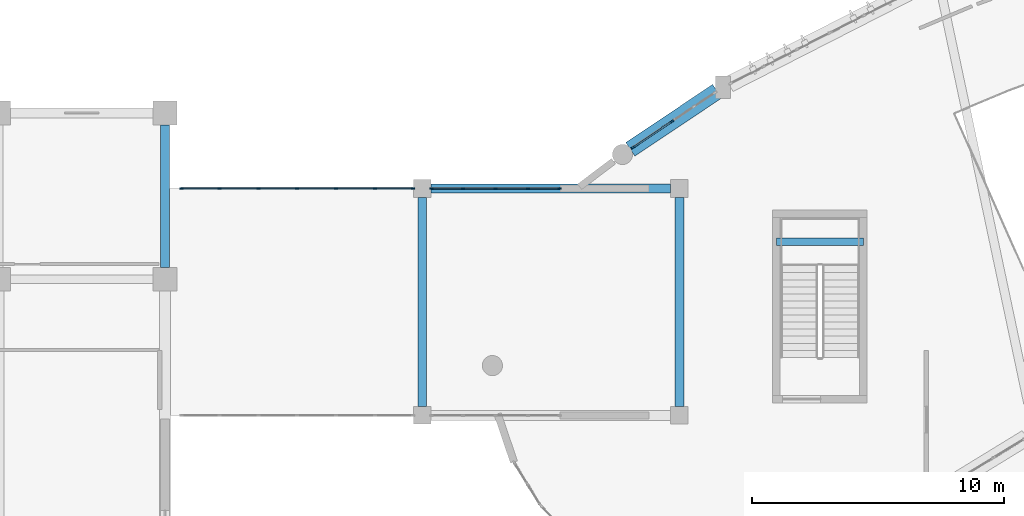
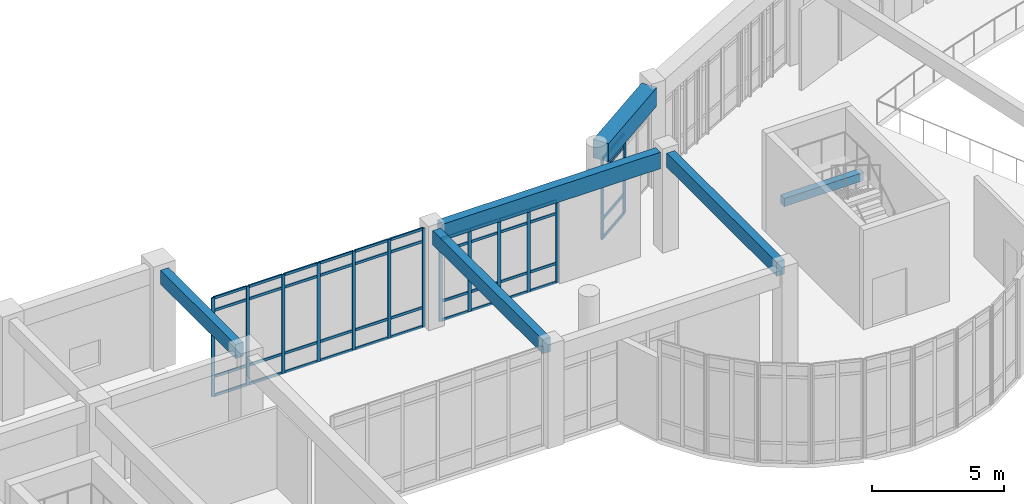
# One storey, part 9 of 65: 58 members, 6 beams, 3 elements without a shape of their own.
"""IFC4 building model written with IfcOpenShell, lengths in metres."""

from ifc_helpers import new_model, si_unit, direction, frame, origin, origin_2d, place, context, subcontext, project, spatial, rectangle, extrude, material, layer, layer_set, material_profile, profile_set, type_object, element, aggregate, save


model = new_model("IFC4")

# Units and contexts
model_context = context("Model", 3, precision=1e-05, world=origin(), true_north=direction((0.0, 1.0)))
body_context = subcontext(model_context, "Body", "Model", "MODEL_VIEW")
ifc_project = project(units=[si_unit("LENGTHUNIT", "METRE"), si_unit("AREAUNIT", "SQUARE_METRE"), si_unit("VOLUMEUNIT", "CUBIC_METRE"), si_unit("PLANEANGLEUNIT", "RADIAN"), si_unit("MASSUNIT", "GRAM", prefix="KILO")], contexts=[model_context])

# Site, building, storey
site_placement = place(None, origin())
site = spatial("IfcSite", under=ifc_project, at=site_placement, CompositionType="ELEMENT")
building_placement = place(site_placement, origin())
building = spatial("IfcBuilding", under=site, at=building_placement, Name="Miralva Faculty of Natural Sciences", CompositionType="ELEMENT")
storey_placement = place(building_placement, frame((0.0, 0.0, 10.199951171875)))
storey = spatial("IfcBuildingStorey", under=building, at=storey_placement, Name="L02", CompositionType="ELEMENT", Elevation=10.199951171875)

# Beams
ifc_material_1 = material(Name="Concrete C40/50", Category="concrete")
ifc_material_profile_1 = material_profile(ifc_material_1, rectangle(XDim=0.35009765625, YDim=0.64990234375, at=origin_2d()), Name="RC 350x650")
ifc_profile_set_1 = profile_set([ifc_material_profile_1], Name="Concrete C40/50")
beam_type_1 = type_object("IfcBeamType", Name="BM-B05", PredefinedType="BEAM", material=ifc_profile_set_1)
beam_1_placement = place(storey_placement, frame((36.0, 23.875, 4.235107421875), z_axis=(0.0, 1.0, 0.0), x_axis=(-1.0, 0.0, 0.0)))
element("IfcBeam", 1, at=beam_1_placement, inside=storey, type_object=beam_type_1, Name="Girder NS L02-117", PredefinedType="BEAM", context=body_context, shape_type="SweptSolid", body=[
    extrude(rectangle(XDim=0.35009765625, YDim=0.64990234375, at=origin_2d()), origin(), (0.0, 0.0, 1.0), 5.64990234375),
])
for number, where, z_axis, x_axis, name in (
    (2, (46.199951171875, 18.35009765625, 4.235107421875), (0.0, 1.0, 0.0), (-1.0, 0.0, 0.0), "Girder NS L02-118"),
    (3, (56.39990234375, 18.35009765625, 4.235107421875), (0.0, 1.0, 0.0), (-1.0, 0.0, 0.0), "Girder NS L02-119"),
):
    element("IfcBeam", number, at=place(storey_placement, frame(where, z_axis=z_axis, x_axis=x_axis)), inside=storey, type_object=beam_type_1, Name=name, PredefinedType="BEAM", context=body_context, shape_type="SweptSolid", body=[
        extrude(rectangle(XDim=0.35009765625, YDim=0.64990234375, at=origin_2d()), origin(), (0.0, 0.0, 1.0), 8.2998046875),
    ])
ifc_material_profile_2 = material_profile(ifc_material_1, rectangle(XDim=0.360107421875, YDim=0.760009765625, at=origin_2d()), Name="RC 360x760")
ifc_profile_set_2 = profile_set([ifc_material_profile_2], Name="Concrete C40/50")
beam_type_2 = type_object("IfcBeamType", Name="BM-BG06", PredefinedType="BEAM", material=ifc_profile_set_2)
beam_2_placement = place(storey_placement, frame((46.550048828125, 27.0, 4.179931640625), z_axis=(1.0, 0.0, 0.0), x_axis=(0.0, 1.0, 0.0)))
element("IfcBeam", 4, at=beam_2_placement, inside=storey, type_object=beam_type_2, Name="Girder EW L02-25", PredefinedType="BEAM", context=body_context, shape_type="SweptSolid", body=[
    extrude(rectangle(XDim=0.360107421875, YDim=0.760009765625, at=origin_2d()), origin(), (0.0, 0.0, 1.0), 9.5),
])
ifc_material_profile_3 = material_profile(ifc_material_1, rectangle(XDim=0.300048828125, YDim=0.3798828125, at=origin_2d()), Name="RC 300x380")
ifc_profile_set_3 = profile_set([ifc_material_profile_3], Name="Concrete C40/50")
beam_type_3 = type_object("IfcBeamType", Name="BM-LND01", PredefinedType="BEAM", material=ifc_profile_set_3)
beam_3_placement = place(storey_placement, frame((60.25, 24.89501953125, 2.02001953125), z_axis=(1.0, 0.0, 0.0), x_axis=(0.0, 1.0, 0.0)))
element("IfcBeam", 5, at=beam_3_placement, inside=storey, type_object=beam_type_3, Name="Stair Core C6 half-landing support beam L02", PredefinedType="BEAM", context=body_context, shape_type="SweptSolid", body=[
    extrude(rectangle(XDim=0.300048828125, YDim=0.3798828125, at=origin_2d()), origin(), (0.0, 0.0, 1.0), 3.449951171875),
])
ifc_material_profile_4 = material_profile(ifc_material_1, rectangle(XDim=0.64990234375, YDim=0.85009765625, at=origin_2d()), Name="RC 650x850")
ifc_profile_set_4 = profile_set([ifc_material_profile_4], Name="Concrete C40/50")
beam_type_4 = type_object("IfcBeamType", Name="BM-SP03", PredefinedType="SPANDREL", material=ifc_profile_set_4)
beam_4_placement = place(storey_placement, frame((57.900390625, 30.856689453125, 4.135009765625), z_axis=(-0.831378794944, -0.555706126759, 0.0), x_axis=(0.555706126759, -0.831378794944, 0.0)))
element("IfcBeam", 6, at=beam_4_placement, inside=storey, type_object=beam_type_4, Name="Curved chord girder SHOUT L02-9", PredefinedType="SPANDREL", context=body_context, shape_type="SweptSolid", body=[
    extrude(rectangle(XDim=0.64990234375, YDim=0.85009765625, at=origin_2d()), origin(), (0.0, 0.0, 1.0), 4.142822265625),
])

# Curtain wall, members
ifc_material_2 = material(Name="Laminated solar-control glass", Category="glass")
ifc_layer_1 = layer(ifc_material_2, 0.179931640625, Name="CW-ARC-L01")
ifc_layer_set_1 = layer_set([ifc_layer_1], Name="Laminated solar-control glass")
curtain_wall_type_1 = type_object("IfcCurtainWallType", Name="CW-ARC-L01", PredefinedType="USERDEFINED", material=ifc_layer_set_1)
curtain_wall_1_placement = place(storey_placement, origin())
curtain_wall_1 = element("IfcCurtainWall", 7, at=curtain_wall_1_placement, inside=storey, type_object=curtain_wall_type_1, Name="Curtain wall CW-02 L02-77", ObjectType="UNITISED CURTAIN WALL", PredefinedType="USERDEFINED")
ifc_material_3 = material(Name="Anodised aluminium", Category="aluminium")
ifc_material_profile_5 = material_profile(ifc_material_3, rectangle(XDim=0.06494140625, YDim=0.159912109375, at=origin_2d()), Name="MULLION 65x160")
ifc_profile_set_5 = profile_set([ifc_material_profile_5], Name="Anodised aluminium")
member_type_1 = type_object("IfcMemberType", Name="CW-M02", PredefinedType="MULLION", material=ifc_profile_set_5)
member_1_placement = place(storey_placement, frame((54.558837890625, 28.62646484375, 0.0), z_axis=(0.0, 0.0, 1.0), x_axis=(-0.555548937913, 0.831483840844, 0.0)))
member_1 = element("IfcMember", 8, at=member_1_placement, type_object=member_type_1, Name="CW-02 mullion 1", PredefinedType="MULLION", context=body_context, shape_type="SweptSolid", body=[
    extrude(rectangle(XDim=0.06494140625, YDim=0.159912109375, at=origin_2d()), origin(), (0.0, 0.0, 1.0), 3.705078125),
])
member_2_placement = place(storey_placement, frame((56.109375, 29.662353515625, 0.0), z_axis=(0.0, 0.0, 1.0), x_axis=(-0.555548937913, 0.831483840844, 0.0)))
member_2 = element("IfcMember", 9, at=member_2_placement, type_object=member_type_1, Name="CW-02 mullion 2", PredefinedType="MULLION", context=body_context, shape_type="SweptSolid", body=[
    extrude(rectangle(XDim=0.06494140625, YDim=0.159912109375, at=origin_2d()), origin(), (0.0, 0.0, 1.0), 3.705078125),
])

ifc_layer_2 = layer(ifc_material_2, 0.179931640625, Name="CW-COM-L01")
ifc_layer_set_2 = layer_set([ifc_layer_2], Name="Laminated solar-control glass")
curtain_wall_type_2 = type_object("IfcCurtainWallType", Name="CW-COM-L01", PredefinedType="USERDEFINED", material=ifc_layer_set_2)
curtain_wall_2_placement = place(storey_placement, origin())
curtain_wall_2 = element("IfcCurtainWall", 10, at=curtain_wall_2_placement, inside=storey, type_object=curtain_wall_type_2, Name="Curtain wall CW-10 L02-297", ObjectType="UNITISED CURTAIN WALL", PredefinedType="USERDEFINED")
ifc_material_profile_6 = material_profile(ifc_material_3, rectangle(XDim=0.06005859375, YDim=0.139892578125, at=origin_2d()), Name="MULLION 60x140")
ifc_profile_set_6 = profile_set([ifc_material_profile_6], Name="Anodised aluminium")
member_type_2 = type_object("IfcMemberType", Name="CW-M03", PredefinedType="MULLION", material=ifc_profile_set_6)
member_3_placement = place(storey_placement, frame((36.64990234375, 27.0, 0.0), z_axis=(0.0, 0.0, 1.0), x_axis=(0.0, 1.0, 0.0)))
member_3 = element("IfcMember", 11, at=member_3_placement, type_object=member_type_2, Name="CW-10 mullion 1", PredefinedType="MULLION", context=body_context, shape_type="SweptSolid", body=[
    extrude(rectangle(XDim=0.06005859375, YDim=0.139892578125, at=origin_2d()), origin(), (0.0, 0.0, 1.0), 4.550048828125),
])
member_4_placement = place(storey_placement, frame((38.160888671875, 27.0, 0.0), z_axis=(0.0, 0.0, 1.0), x_axis=(0.0, 1.0, 0.0)))
member_4 = element("IfcMember", 12, at=member_4_placement, type_object=member_type_2, Name="CW-10 mullion 2", PredefinedType="MULLION", context=body_context, shape_type="SweptSolid", body=[
    extrude(rectangle(XDim=0.06005859375, YDim=0.139892578125, at=origin_2d()), origin(), (0.0, 0.0, 1.0), 4.550048828125),
])
member_5_placement = place(storey_placement, frame((39.70166015625, 27.0, 0.0), z_axis=(0.0, 0.0, 1.0), x_axis=(0.0, 1.0, 0.0)))
member_5 = element("IfcMember", 13, at=member_5_placement, type_object=member_type_2, Name="CW-10 mullion 3", PredefinedType="MULLION", context=body_context, shape_type="SweptSolid", body=[
    extrude(rectangle(XDim=0.06005859375, YDim=0.139892578125, at=origin_2d()), origin(), (0.0, 0.0, 1.0), 4.550048828125),
])
member_6_placement = place(storey_placement, frame((41.242431640625, 27.0, 0.0), z_axis=(0.0, 0.0, 1.0), x_axis=(0.0, 1.0, 0.0)))
member_6 = element("IfcMember", 14, at=member_6_placement, type_object=member_type_2, Name="CW-10 mullion 4", PredefinedType="MULLION", context=body_context, shape_type="SweptSolid", body=[
    extrude(rectangle(XDim=0.06005859375, YDim=0.139892578125, at=origin_2d()), origin(), (0.0, 0.0, 1.0), 4.550048828125),
])
member_7_placement = place(storey_placement, frame((42.783447265625, 27.0, 0.0), z_axis=(0.0, 0.0, 1.0), x_axis=(0.0, 1.0, 0.0)))
member_7 = element("IfcMember", 15, at=member_7_placement, type_object=member_type_2, Name="CW-10 mullion 5", PredefinedType="MULLION", context=body_context, shape_type="SweptSolid", body=[
    extrude(rectangle(XDim=0.06005859375, YDim=0.139892578125, at=origin_2d()), origin(), (0.0, 0.0, 1.0), 4.550048828125),
])
member_8_placement = place(storey_placement, frame((44.32421875, 27.0, 0.0), z_axis=(0.0, 0.0, 1.0), x_axis=(0.0, 1.0, 0.0)))
member_8 = element("IfcMember", 16, at=member_8_placement, type_object=member_type_2, Name="CW-10 mullion 6", PredefinedType="MULLION", context=body_context, shape_type="SweptSolid", body=[
    extrude(rectangle(XDim=0.06005859375, YDim=0.139892578125, at=origin_2d()), origin(), (0.0, 0.0, 1.0), 4.550048828125),
])
member_9_placement = place(storey_placement, frame((45.8349609375, 27.0, 0.0), z_axis=(0.0, 0.0, 1.0), x_axis=(0.0, 1.0, 0.0)))
member_9 = element("IfcMember", 17, at=member_9_placement, type_object=member_type_2, Name="CW-10 mullion 7", PredefinedType="MULLION", context=body_context, shape_type="SweptSolid", body=[
    extrude(rectangle(XDim=0.06005859375, YDim=0.139892578125, at=origin_2d()), origin(), (0.0, 0.0, 1.0), 4.550048828125),
])

curtain_wall_3_placement = place(storey_placement, origin())
curtain_wall_3 = element("IfcCurtainWall", 18, at=curtain_wall_3_placement, inside=storey, type_object=curtain_wall_type_2, Name="Curtain wall CW-10 L02-298", ObjectType="UNITISED CURTAIN WALL", PredefinedType="USERDEFINED")
member_10_placement = place(storey_placement, frame((46.56494140625, 27.0, 0.0), z_axis=(0.0, 0.0, 1.0), x_axis=(0.0, 1.0, 0.0)))
member_10 = element("IfcMember", 19, at=member_10_placement, type_object=member_type_2, Name="CW-10 mullion 1", PredefinedType="MULLION", context=body_context, shape_type="SweptSolid", body=[
    extrude(rectangle(XDim=0.06005859375, YDim=0.139892578125, at=origin_2d()), origin(), (0.0, 0.0, 1.0), 3.795166015625),
])
member_11_placement = place(storey_placement, frame((47.8212890625, 27.0, 0.0), z_axis=(0.0, 0.0, 1.0), x_axis=(0.0, 1.0, 0.0)))
member_11 = element("IfcMember", 20, at=member_11_placement, type_object=member_type_2, Name="CW-10 mullion 2", PredefinedType="MULLION", context=body_context, shape_type="SweptSolid", body=[
    extrude(rectangle(XDim=0.06005859375, YDim=0.139892578125, at=origin_2d()), origin(), (0.0, 0.0, 1.0), 3.795166015625),
])
member_12_placement = place(storey_placement, frame((49.107421875, 27.0, 0.0), z_axis=(0.0, 0.0, 1.0), x_axis=(0.0, 1.0, 0.0)))
member_12 = element("IfcMember", 21, at=member_12_placement, type_object=member_type_2, Name="CW-10 mullion 3", PredefinedType="MULLION", context=body_context, shape_type="SweptSolid", body=[
    extrude(rectangle(XDim=0.06005859375, YDim=0.139892578125, at=origin_2d()), origin(), (0.0, 0.0, 1.0), 3.795166015625),
])
member_13_placement = place(storey_placement, frame((50.393798828125, 27.0, 0.0), z_axis=(0.0, 0.0, 1.0), x_axis=(0.0, 1.0, 0.0)))
member_13 = element("IfcMember", 22, at=member_13_placement, type_object=member_type_2, Name="CW-10 mullion 4", PredefinedType="MULLION", context=body_context, shape_type="SweptSolid", body=[
    extrude(rectangle(XDim=0.06005859375, YDim=0.139892578125, at=origin_2d()), origin(), (0.0, 0.0, 1.0), 3.795166015625),
])
member_14_placement = place(storey_placement, frame((51.64990234375, 27.0, 0.0), z_axis=(0.0, 0.0, 1.0), x_axis=(0.0, 1.0, 0.0)))
member_14 = element("IfcMember", 23, at=member_14_placement, type_object=member_type_2, Name="CW-10 mullion 5", PredefinedType="MULLION", context=body_context, shape_type="SweptSolid", body=[
    extrude(rectangle(XDim=0.06005859375, YDim=0.139892578125, at=origin_2d()), origin(), (0.0, 0.0, 1.0), 3.795166015625),
])

# Member
ifc_material_profile_7 = material_profile(ifc_material_3, rectangle(XDim=0.06005859375, YDim=0.1201171875, at=origin_2d()), Name="TRANSOM 60x120")
ifc_profile_set_7 = profile_set([ifc_material_profile_7], Name="Anodised aluminium")
member_type_3 = type_object("IfcMemberType", Name="CW-T02", PredefinedType="USERDEFINED", material=ifc_profile_set_7)
member_15_placement = place(storey_placement, frame((54.585693359375, 28.64453125, 0.030029296875), z_axis=(0.831528199487, 0.555482541093, 0.0), x_axis=(-0.555482541093, 0.831528199487, 0.0)))
member_15 = element("IfcMember", 24, at=member_15_placement, type_object=member_type_3, Name="CW-02 transom 1.1", ObjectType="TRANSOM", PredefinedType="USERDEFINED", context=body_context, shape_type="SweptSolid", body=[
    extrude(rectangle(XDim=0.06005859375, YDim=0.1201171875, at=origin_2d()), origin(), (0.0, 0.0, 1.0), 1.7998046875),
])

member_16_placement = place(storey_placement, frame((54.585693359375, 28.64453125, 0.900146484375), z_axis=(0.831528199487, 0.555482541093, 0.0), x_axis=(-0.555482541093, 0.831528199487, 0.0)))
member_16 = element("IfcMember", 25, at=member_16_placement, type_object=member_type_3, Name="CW-02 transom 1.2", ObjectType="TRANSOM", PredefinedType="USERDEFINED", context=body_context, shape_type="SweptSolid", body=[
    extrude(rectangle(XDim=0.06005859375, YDim=0.1201171875, at=origin_2d()), origin(), (0.0, 0.0, 1.0), 1.7998046875),
])

member_17_placement = place(storey_placement, frame((54.585693359375, 28.64453125, 3.10498046875), z_axis=(0.831528199487, 0.555482541093, 0.0), x_axis=(-0.555482541093, 0.831528199487, 0.0)))
member_17 = element("IfcMember", 26, at=member_17_placement, type_object=member_type_3, Name="CW-02 transom 1.3", ObjectType="TRANSOM", PredefinedType="USERDEFINED", context=body_context, shape_type="SweptSolid", body=[
    extrude(rectangle(XDim=0.06005859375, YDim=0.1201171875, at=origin_2d()), origin(), (0.0, 0.0, 1.0), 1.7998046875),
])

member_18_placement = place(storey_placement, frame((54.585693359375, 28.64453125, 3.675048828125), z_axis=(0.831528199487, 0.555482541093, 0.0), x_axis=(-0.555482541093, 0.831528199487, 0.0)))
member_18 = element("IfcMember", 27, at=member_18_placement, type_object=member_type_3, Name="CW-02 transom 1.4", ObjectType="TRANSOM", PredefinedType="USERDEFINED", context=body_context, shape_type="SweptSolid", body=[
    extrude(rectangle(XDim=0.06005859375, YDim=0.1201171875, at=origin_2d()), origin(), (0.0, 0.0, 1.0), 1.7998046875),
])

aggregate(curtain_wall_1, [member_1, member_2, member_15, member_16, member_17, member_18])

member_19_placement = place(storey_placement, frame((36.679931640625, 27.0, 0.030029296875), z_axis=(1.0, 0.0, 0.0), x_axis=(0.0, 1.0, 0.0)))
member_19 = element("IfcMember", 28, at=member_19_placement, type_object=member_type_3, Name="CW-10 transom 1.1", ObjectType="TRANSOM", PredefinedType="USERDEFINED", context=body_context, shape_type="SweptSolid", body=[
    extrude(rectangle(XDim=0.06005859375, YDim=0.1201171875, at=origin_2d()), origin(), (0.0, 0.0, 1.0), 1.450927734375),
])

member_20_placement = place(storey_placement, frame((36.679931640625, 27.0, 0.900146484375), z_axis=(1.0, 0.0, 0.0), x_axis=(0.0, 1.0, 0.0)))
member_20 = element("IfcMember", 29, at=member_20_placement, type_object=member_type_3, Name="CW-10 transom 1.2", ObjectType="TRANSOM", PredefinedType="USERDEFINED", context=body_context, shape_type="SweptSolid", body=[
    extrude(rectangle(XDim=0.06005859375, YDim=0.1201171875, at=origin_2d()), origin(), (0.0, 0.0, 1.0), 1.450927734375),
])

member_21_placement = place(storey_placement, frame((36.679931640625, 27.0, 3.949951171875), z_axis=(1.0, 0.0, 0.0), x_axis=(0.0, 1.0, 0.0)))
member_21 = element("IfcMember", 30, at=member_21_placement, type_object=member_type_3, Name="CW-10 transom 1.3", ObjectType="TRANSOM", PredefinedType="USERDEFINED", context=body_context, shape_type="SweptSolid", body=[
    extrude(rectangle(XDim=0.06005859375, YDim=0.1201171875, at=origin_2d()), origin(), (0.0, 0.0, 1.0), 1.450927734375),
])

member_22_placement = place(storey_placement, frame((36.679931640625, 27.0, 4.52001953125), z_axis=(1.0, 0.0, 0.0), x_axis=(0.0, 1.0, 0.0)))
member_22 = element("IfcMember", 31, at=member_22_placement, type_object=member_type_3, Name="CW-10 transom 1.4", ObjectType="TRANSOM", PredefinedType="USERDEFINED", context=body_context, shape_type="SweptSolid", body=[
    extrude(rectangle(XDim=0.06005859375, YDim=0.1201171875, at=origin_2d()), origin(), (0.0, 0.0, 1.0), 1.450927734375),
])

member_23_placement = place(storey_placement, frame((38.19091796875, 27.0, 0.030029296875), z_axis=(1.0, 0.0, 0.0), x_axis=(0.0, 1.0, 0.0)))
member_23 = element("IfcMember", 32, at=member_23_placement, type_object=member_type_3, Name="CW-10 transom 2.1", ObjectType="TRANSOM", PredefinedType="USERDEFINED", context=body_context, shape_type="SweptSolid", body=[
    extrude(rectangle(XDim=0.06005859375, YDim=0.1201171875, at=origin_2d()), origin(), (0.0, 0.0, 1.0), 1.480712890625),
])

member_24_placement = place(storey_placement, frame((38.19091796875, 27.0, 0.900146484375), z_axis=(1.0, 0.0, 0.0), x_axis=(0.0, 1.0, 0.0)))
member_24 = element("IfcMember", 33, at=member_24_placement, type_object=member_type_3, Name="CW-10 transom 2.2", ObjectType="TRANSOM", PredefinedType="USERDEFINED", context=body_context, shape_type="SweptSolid", body=[
    extrude(rectangle(XDim=0.06005859375, YDim=0.1201171875, at=origin_2d()), origin(), (0.0, 0.0, 1.0), 1.480712890625),
])

member_25_placement = place(storey_placement, frame((38.19091796875, 27.0, 3.949951171875), z_axis=(1.0, 0.0, 0.0), x_axis=(0.0, 1.0, 0.0)))
member_25 = element("IfcMember", 34, at=member_25_placement, type_object=member_type_3, Name="CW-10 transom 2.3", ObjectType="TRANSOM", PredefinedType="USERDEFINED", context=body_context, shape_type="SweptSolid", body=[
    extrude(rectangle(XDim=0.06005859375, YDim=0.1201171875, at=origin_2d()), origin(), (0.0, 0.0, 1.0), 1.480712890625),
])

member_26_placement = place(storey_placement, frame((38.19091796875, 27.0, 4.52001953125), z_axis=(1.0, 0.0, 0.0), x_axis=(0.0, 1.0, 0.0)))
member_26 = element("IfcMember", 35, at=member_26_placement, type_object=member_type_3, Name="CW-10 transom 2.4", ObjectType="TRANSOM", PredefinedType="USERDEFINED", context=body_context, shape_type="SweptSolid", body=[
    extrude(rectangle(XDim=0.06005859375, YDim=0.1201171875, at=origin_2d()), origin(), (0.0, 0.0, 1.0), 1.480712890625),
])

member_27_placement = place(storey_placement, frame((39.731689453125, 27.0, 0.030029296875), z_axis=(1.0, 0.0, 0.0), x_axis=(0.0, 1.0, 0.0)))
member_27 = element("IfcMember", 36, at=member_27_placement, type_object=member_type_3, Name="CW-10 transom 3.1", ObjectType="TRANSOM", PredefinedType="USERDEFINED", context=body_context, shape_type="SweptSolid", body=[
    extrude(rectangle(XDim=0.06005859375, YDim=0.1201171875, at=origin_2d()), origin(), (0.0, 0.0, 1.0), 1.480712890625),
])

member_28_placement = place(storey_placement, frame((39.731689453125, 27.0, 0.900146484375), z_axis=(1.0, 0.0, 0.0), x_axis=(0.0, 1.0, 0.0)))
member_28 = element("IfcMember", 37, at=member_28_placement, type_object=member_type_3, Name="CW-10 transom 3.2", ObjectType="TRANSOM", PredefinedType="USERDEFINED", context=body_context, shape_type="SweptSolid", body=[
    extrude(rectangle(XDim=0.06005859375, YDim=0.1201171875, at=origin_2d()), origin(), (0.0, 0.0, 1.0), 1.480712890625),
])

member_29_placement = place(storey_placement, frame((39.731689453125, 27.0, 3.949951171875), z_axis=(1.0, 0.0, 0.0), x_axis=(0.0, 1.0, 0.0)))
member_29 = element("IfcMember", 38, at=member_29_placement, type_object=member_type_3, Name="CW-10 transom 3.3", ObjectType="TRANSOM", PredefinedType="USERDEFINED", context=body_context, shape_type="SweptSolid", body=[
    extrude(rectangle(XDim=0.06005859375, YDim=0.1201171875, at=origin_2d()), origin(), (0.0, 0.0, 1.0), 1.480712890625),
])

member_30_placement = place(storey_placement, frame((39.731689453125, 27.0, 4.52001953125), z_axis=(1.0, 0.0, 0.0), x_axis=(0.0, 1.0, 0.0)))
member_30 = element("IfcMember", 39, at=member_30_placement, type_object=member_type_3, Name="CW-10 transom 3.4", ObjectType="TRANSOM", PredefinedType="USERDEFINED", context=body_context, shape_type="SweptSolid", body=[
    extrude(rectangle(XDim=0.06005859375, YDim=0.1201171875, at=origin_2d()), origin(), (0.0, 0.0, 1.0), 1.480712890625),
])

member_31_placement = place(storey_placement, frame((41.2724609375, 27.0, 0.030029296875), z_axis=(1.0, 0.0, 0.0), x_axis=(0.0, 1.0, 0.0)))
member_31 = element("IfcMember", 40, at=member_31_placement, type_object=member_type_3, Name="CW-10 transom 4.1", ObjectType="TRANSOM", PredefinedType="USERDEFINED", context=body_context, shape_type="SweptSolid", body=[
    extrude(rectangle(XDim=0.06005859375, YDim=0.1201171875, at=origin_2d()), origin(), (0.0, 0.0, 1.0), 1.48095703125),
])

member_32_placement = place(storey_placement, frame((41.2724609375, 27.0, 0.900146484375), z_axis=(1.0, 0.0, 0.0), x_axis=(0.0, 1.0, 0.0)))
member_32 = element("IfcMember", 41, at=member_32_placement, type_object=member_type_3, Name="CW-10 transom 4.2", ObjectType="TRANSOM", PredefinedType="USERDEFINED", context=body_context, shape_type="SweptSolid", body=[
    extrude(rectangle(XDim=0.06005859375, YDim=0.1201171875, at=origin_2d()), origin(), (0.0, 0.0, 1.0), 1.48095703125),
])

member_33_placement = place(storey_placement, frame((41.2724609375, 27.0, 3.949951171875), z_axis=(1.0, 0.0, 0.0), x_axis=(0.0, 1.0, 0.0)))
member_33 = element("IfcMember", 42, at=member_33_placement, type_object=member_type_3, Name="CW-10 transom 4.3", ObjectType="TRANSOM", PredefinedType="USERDEFINED", context=body_context, shape_type="SweptSolid", body=[
    extrude(rectangle(XDim=0.06005859375, YDim=0.1201171875, at=origin_2d()), origin(), (0.0, 0.0, 1.0), 1.48095703125),
])

member_34_placement = place(storey_placement, frame((41.2724609375, 27.0, 4.52001953125), z_axis=(1.0, 0.0, 0.0), x_axis=(0.0, 1.0, 0.0)))
member_34 = element("IfcMember", 43, at=member_34_placement, type_object=member_type_3, Name="CW-10 transom 4.4", ObjectType="TRANSOM", PredefinedType="USERDEFINED", context=body_context, shape_type="SweptSolid", body=[
    extrude(rectangle(XDim=0.06005859375, YDim=0.1201171875, at=origin_2d()), origin(), (0.0, 0.0, 1.0), 1.48095703125),
])

member_35_placement = place(storey_placement, frame((42.813232421875, 27.0, 0.030029296875), z_axis=(1.0, 0.0, 0.0), x_axis=(0.0, 1.0, 0.0)))
member_35 = element("IfcMember", 44, at=member_35_placement, type_object=member_type_3, Name="CW-10 transom 5.1", ObjectType="TRANSOM", PredefinedType="USERDEFINED", context=body_context, shape_type="SweptSolid", body=[
    extrude(rectangle(XDim=0.06005859375, YDim=0.1201171875, at=origin_2d()), origin(), (0.0, 0.0, 1.0), 1.48095703125),
])

member_36_placement = place(storey_placement, frame((42.813232421875, 27.0, 0.900146484375), z_axis=(1.0, 0.0, 0.0), x_axis=(0.0, 1.0, 0.0)))
member_36 = element("IfcMember", 45, at=member_36_placement, type_object=member_type_3, Name="CW-10 transom 5.2", ObjectType="TRANSOM", PredefinedType="USERDEFINED", context=body_context, shape_type="SweptSolid", body=[
    extrude(rectangle(XDim=0.06005859375, YDim=0.1201171875, at=origin_2d()), origin(), (0.0, 0.0, 1.0), 1.48095703125),
])

member_37_placement = place(storey_placement, frame((42.813232421875, 27.0, 3.949951171875), z_axis=(1.0, 0.0, 0.0), x_axis=(0.0, 1.0, 0.0)))
member_37 = element("IfcMember", 46, at=member_37_placement, type_object=member_type_3, Name="CW-10 transom 5.3", ObjectType="TRANSOM", PredefinedType="USERDEFINED", context=body_context, shape_type="SweptSolid", body=[
    extrude(rectangle(XDim=0.06005859375, YDim=0.1201171875, at=origin_2d()), origin(), (0.0, 0.0, 1.0), 1.48095703125),
])

member_38_placement = place(storey_placement, frame((42.813232421875, 27.0, 4.52001953125), z_axis=(1.0, 0.0, 0.0), x_axis=(0.0, 1.0, 0.0)))
member_38 = element("IfcMember", 47, at=member_38_placement, type_object=member_type_3, Name="CW-10 transom 5.4", ObjectType="TRANSOM", PredefinedType="USERDEFINED", context=body_context, shape_type="SweptSolid", body=[
    extrude(rectangle(XDim=0.06005859375, YDim=0.1201171875, at=origin_2d()), origin(), (0.0, 0.0, 1.0), 1.48095703125),
])

member_39_placement = place(storey_placement, frame((44.354248046875, 27.0, 0.030029296875), z_axis=(1.0, 0.0, 0.0), x_axis=(0.0, 1.0, 0.0)))
member_39 = element("IfcMember", 48, at=member_39_placement, type_object=member_type_3, Name="CW-10 transom 6.1", ObjectType="TRANSOM", PredefinedType="USERDEFINED", context=body_context, shape_type="SweptSolid", body=[
    extrude(rectangle(XDim=0.06005859375, YDim=0.1201171875, at=origin_2d()), origin(), (0.0, 0.0, 1.0), 1.45068359375),
])

member_40_placement = place(storey_placement, frame((44.354248046875, 27.0, 0.900146484375), z_axis=(1.0, 0.0, 0.0), x_axis=(0.0, 1.0, 0.0)))
member_40 = element("IfcMember", 49, at=member_40_placement, type_object=member_type_3, Name="CW-10 transom 6.2", ObjectType="TRANSOM", PredefinedType="USERDEFINED", context=body_context, shape_type="SweptSolid", body=[
    extrude(rectangle(XDim=0.06005859375, YDim=0.1201171875, at=origin_2d()), origin(), (0.0, 0.0, 1.0), 1.45068359375),
])

member_41_placement = place(storey_placement, frame((44.354248046875, 27.0, 3.949951171875), z_axis=(1.0, 0.0, 0.0), x_axis=(0.0, 1.0, 0.0)))
member_41 = element("IfcMember", 50, at=member_41_placement, type_object=member_type_3, Name="CW-10 transom 6.3", ObjectType="TRANSOM", PredefinedType="USERDEFINED", context=body_context, shape_type="SweptSolid", body=[
    extrude(rectangle(XDim=0.06005859375, YDim=0.1201171875, at=origin_2d()), origin(), (0.0, 0.0, 1.0), 1.45068359375),
])

member_42_placement = place(storey_placement, frame((44.354248046875, 27.0, 4.52001953125), z_axis=(1.0, 0.0, 0.0), x_axis=(0.0, 1.0, 0.0)))
member_42 = element("IfcMember", 51, at=member_42_placement, type_object=member_type_3, Name="CW-10 transom 6.4", ObjectType="TRANSOM", PredefinedType="USERDEFINED", context=body_context, shape_type="SweptSolid", body=[
    extrude(rectangle(XDim=0.06005859375, YDim=0.1201171875, at=origin_2d()), origin(), (0.0, 0.0, 1.0), 1.45068359375),
])

aggregate(curtain_wall_2, [member_3, member_4, member_5, member_6, member_7, member_8, member_9, member_19, member_20, member_21, member_22, member_23, member_24, member_25, member_26, member_27, member_28, member_29, member_30, member_31, member_32, member_33, member_34, member_35, member_36, member_37, member_38, member_39, member_40, member_41, member_42])

member_43_placement = place(storey_placement, frame((46.594970703125, 27.0, 0.030029296875), z_axis=(1.0, 0.0, 0.0), x_axis=(0.0, 1.0, 0.0)))
member_43 = element("IfcMember", 52, at=member_43_placement, type_object=member_type_3, Name="CW-10 transom 1.1", ObjectType="TRANSOM", PredefinedType="USERDEFINED", context=body_context, shape_type="SweptSolid", body=[
    extrude(rectangle(XDim=0.06005859375, YDim=0.1201171875, at=origin_2d()), origin(), (0.0, 0.0, 1.0), 1.1962890625),
])

member_44_placement = place(storey_placement, frame((46.594970703125, 27.0, 0.900146484375), z_axis=(1.0, 0.0, 0.0), x_axis=(0.0, 1.0, 0.0)))
member_44 = element("IfcMember", 53, at=member_44_placement, type_object=member_type_3, Name="CW-10 transom 1.2", ObjectType="TRANSOM", PredefinedType="USERDEFINED", context=body_context, shape_type="SweptSolid", body=[
    extrude(rectangle(XDim=0.06005859375, YDim=0.1201171875, at=origin_2d()), origin(), (0.0, 0.0, 1.0), 1.1962890625),
])

member_45_placement = place(storey_placement, frame((46.594970703125, 27.0, 3.195068359375), z_axis=(1.0, 0.0, 0.0), x_axis=(0.0, 1.0, 0.0)))
member_45 = element("IfcMember", 54, at=member_45_placement, type_object=member_type_3, Name="CW-10 transom 1.3", ObjectType="TRANSOM", PredefinedType="USERDEFINED", context=body_context, shape_type="SweptSolid", body=[
    extrude(rectangle(XDim=0.06005859375, YDim=0.1201171875, at=origin_2d()), origin(), (0.0, 0.0, 1.0), 1.1962890625),
])

member_46_placement = place(storey_placement, frame((46.594970703125, 27.0, 3.76513671875), z_axis=(1.0, 0.0, 0.0), x_axis=(0.0, 1.0, 0.0)))
member_46 = element("IfcMember", 55, at=member_46_placement, type_object=member_type_3, Name="CW-10 transom 1.4", ObjectType="TRANSOM", PredefinedType="USERDEFINED", context=body_context, shape_type="SweptSolid", body=[
    extrude(rectangle(XDim=0.06005859375, YDim=0.1201171875, at=origin_2d()), origin(), (0.0, 0.0, 1.0), 1.1962890625),
])

member_47_placement = place(storey_placement, frame((47.851318359375, 27.0, 0.030029296875), z_axis=(1.0, 0.0, 0.0), x_axis=(0.0, 1.0, 0.0)))
member_47 = element("IfcMember", 56, at=member_47_placement, type_object=member_type_3, Name="CW-10 transom 2.1", ObjectType="TRANSOM", PredefinedType="USERDEFINED", context=body_context, shape_type="SweptSolid", body=[
    extrude(rectangle(XDim=0.06005859375, YDim=0.1201171875, at=origin_2d()), origin(), (0.0, 0.0, 1.0), 1.22607421875),
])

member_48_placement = place(storey_placement, frame((47.851318359375, 27.0, 0.900146484375), z_axis=(1.0, 0.0, 0.0), x_axis=(0.0, 1.0, 0.0)))
member_48 = element("IfcMember", 57, at=member_48_placement, type_object=member_type_3, Name="CW-10 transom 2.2", ObjectType="TRANSOM", PredefinedType="USERDEFINED", context=body_context, shape_type="SweptSolid", body=[
    extrude(rectangle(XDim=0.06005859375, YDim=0.1201171875, at=origin_2d()), origin(), (0.0, 0.0, 1.0), 1.22607421875),
])

member_49_placement = place(storey_placement, frame((47.851318359375, 27.0, 3.195068359375), z_axis=(1.0, 0.0, 0.0), x_axis=(0.0, 1.0, 0.0)))
member_49 = element("IfcMember", 58, at=member_49_placement, type_object=member_type_3, Name="CW-10 transom 2.3", ObjectType="TRANSOM", PredefinedType="USERDEFINED", context=body_context, shape_type="SweptSolid", body=[
    extrude(rectangle(XDim=0.06005859375, YDim=0.1201171875, at=origin_2d()), origin(), (0.0, 0.0, 1.0), 1.22607421875),
])

member_50_placement = place(storey_placement, frame((47.851318359375, 27.0, 3.76513671875), z_axis=(1.0, 0.0, 0.0), x_axis=(0.0, 1.0, 0.0)))
member_50 = element("IfcMember", 59, at=member_50_placement, type_object=member_type_3, Name="CW-10 transom 2.4", ObjectType="TRANSOM", PredefinedType="USERDEFINED", context=body_context, shape_type="SweptSolid", body=[
    extrude(rectangle(XDim=0.06005859375, YDim=0.1201171875, at=origin_2d()), origin(), (0.0, 0.0, 1.0), 1.22607421875),
])

member_51_placement = place(storey_placement, frame((49.137451171875, 27.0, 0.030029296875), z_axis=(1.0, 0.0, 0.0), x_axis=(0.0, 1.0, 0.0)))
member_51 = element("IfcMember", 60, at=member_51_placement, type_object=member_type_3, Name="CW-10 transom 3.1", ObjectType="TRANSOM", PredefinedType="USERDEFINED", context=body_context, shape_type="SweptSolid", body=[
    extrude(rectangle(XDim=0.06005859375, YDim=0.1201171875, at=origin_2d()), origin(), (0.0, 0.0, 1.0), 1.226318359375),
])

member_52_placement = place(storey_placement, frame((49.137451171875, 27.0, 0.900146484375), z_axis=(1.0, 0.0, 0.0), x_axis=(0.0, 1.0, 0.0)))
member_52 = element("IfcMember", 61, at=member_52_placement, type_object=member_type_3, Name="CW-10 transom 3.2", ObjectType="TRANSOM", PredefinedType="USERDEFINED", context=body_context, shape_type="SweptSolid", body=[
    extrude(rectangle(XDim=0.06005859375, YDim=0.1201171875, at=origin_2d()), origin(), (0.0, 0.0, 1.0), 1.226318359375),
])

member_53_placement = place(storey_placement, frame((49.137451171875, 27.0, 3.195068359375), z_axis=(1.0, 0.0, 0.0), x_axis=(0.0, 1.0, 0.0)))
member_53 = element("IfcMember", 62, at=member_53_placement, type_object=member_type_3, Name="CW-10 transom 3.3", ObjectType="TRANSOM", PredefinedType="USERDEFINED", context=body_context, shape_type="SweptSolid", body=[
    extrude(rectangle(XDim=0.06005859375, YDim=0.1201171875, at=origin_2d()), origin(), (0.0, 0.0, 1.0), 1.226318359375),
])

member_54_placement = place(storey_placement, frame((49.137451171875, 27.0, 3.76513671875), z_axis=(1.0, 0.0, 0.0), x_axis=(0.0, 1.0, 0.0)))
member_54 = element("IfcMember", 63, at=member_54_placement, type_object=member_type_3, Name="CW-10 transom 3.4", ObjectType="TRANSOM", PredefinedType="USERDEFINED", context=body_context, shape_type="SweptSolid", body=[
    extrude(rectangle(XDim=0.06005859375, YDim=0.1201171875, at=origin_2d()), origin(), (0.0, 0.0, 1.0), 1.226318359375),
])

member_55_placement = place(storey_placement, frame((50.423828125, 27.0, 0.030029296875), z_axis=(1.0, 0.0, 0.0), x_axis=(0.0, 1.0, 0.0)))
member_55 = element("IfcMember", 64, at=member_55_placement, type_object=member_type_3, Name="CW-10 transom 4.1", ObjectType="TRANSOM", PredefinedType="USERDEFINED", context=body_context, shape_type="SweptSolid", body=[
    extrude(rectangle(XDim=0.06005859375, YDim=0.1201171875, at=origin_2d()), origin(), (0.0, 0.0, 1.0), 1.1962890625),
])

member_56_placement = place(storey_placement, frame((50.423828125, 27.0, 0.900146484375), z_axis=(1.0, 0.0, 0.0), x_axis=(0.0, 1.0, 0.0)))
member_56 = element("IfcMember", 65, at=member_56_placement, type_object=member_type_3, Name="CW-10 transom 4.2", ObjectType="TRANSOM", PredefinedType="USERDEFINED", context=body_context, shape_type="SweptSolid", body=[
    extrude(rectangle(XDim=0.06005859375, YDim=0.1201171875, at=origin_2d()), origin(), (0.0, 0.0, 1.0), 1.1962890625),
])

member_57_placement = place(storey_placement, frame((50.423828125, 27.0, 3.195068359375), z_axis=(1.0, 0.0, 0.0), x_axis=(0.0, 1.0, 0.0)))
member_57 = element("IfcMember", 66, at=member_57_placement, type_object=member_type_3, Name="CW-10 transom 4.3", ObjectType="TRANSOM", PredefinedType="USERDEFINED", context=body_context, shape_type="SweptSolid", body=[
    extrude(rectangle(XDim=0.06005859375, YDim=0.1201171875, at=origin_2d()), origin(), (0.0, 0.0, 1.0), 1.1962890625),
])

member_58_placement = place(storey_placement, frame((50.423828125, 27.0, 3.76513671875), z_axis=(1.0, 0.0, 0.0), x_axis=(0.0, 1.0, 0.0)))
member_58 = element("IfcMember", 67, at=member_58_placement, type_object=member_type_3, Name="CW-10 transom 4.4", ObjectType="TRANSOM", PredefinedType="USERDEFINED", context=body_context, shape_type="SweptSolid", body=[
    extrude(rectangle(XDim=0.06005859375, YDim=0.1201171875, at=origin_2d()), origin(), (0.0, 0.0, 1.0), 1.1962890625),
])

aggregate(curtain_wall_3, [member_10, member_11, member_12, member_13, member_14, member_43, member_44, member_45, member_46, member_47, member_48, member_49, member_50, member_51, member_52, member_53, member_54, member_55, member_56, member_57, member_58])

save(model, "model.ifc")
